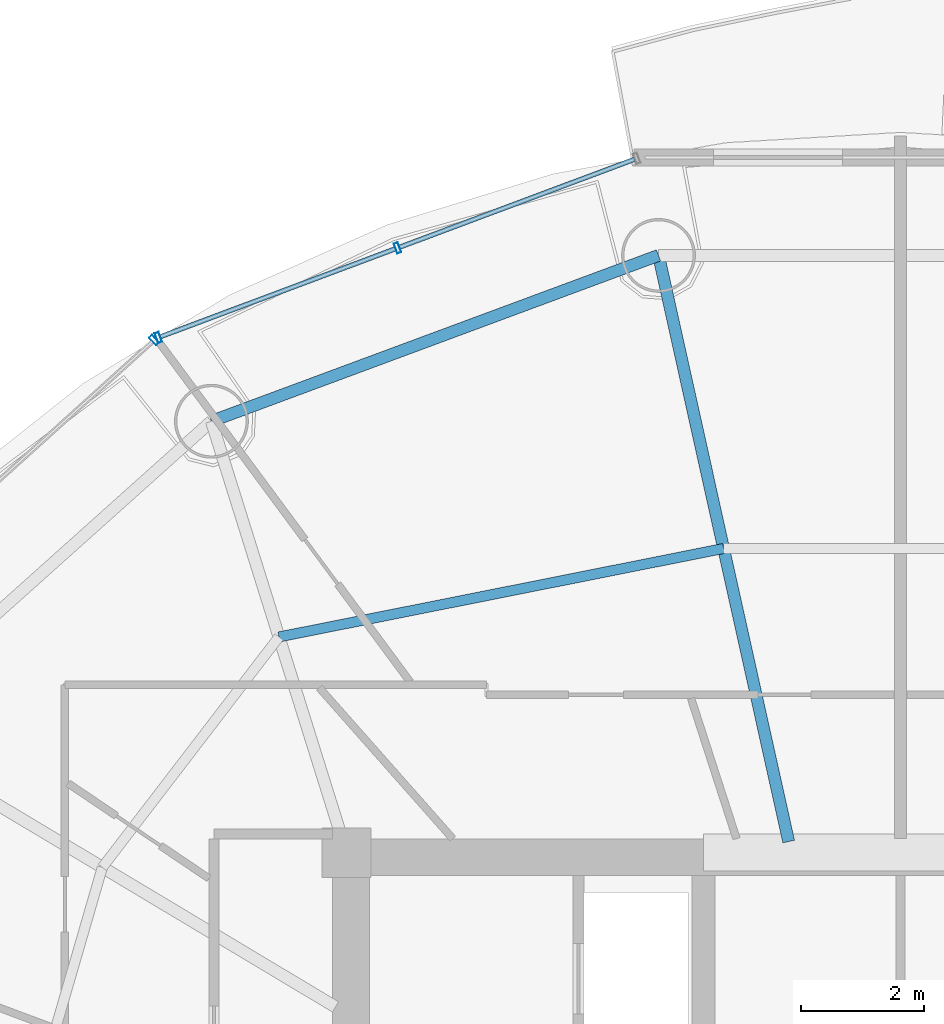
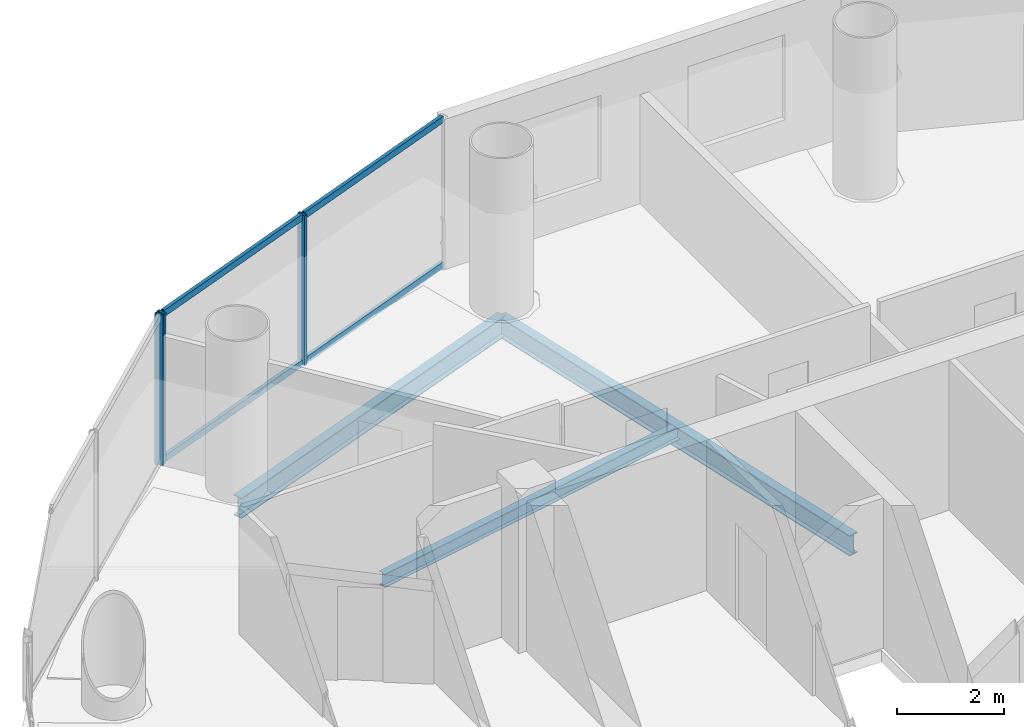
# One storey, part 15 of 26: 7 members, 3 beams, 2 elements without a shape of their own.
"""IFC4 building model written with IfcOpenShell, lengths in metres."""

from ifc_helpers import new_model, si_unit, direction, frame, origin, origin_2d, place, context, subcontext, project, spatial, hollow_rectangle, i_section, extrude, source, transform, mapped, material, material_profile, profile_set, type_object, element, aggregate, save


model = new_model("IFC4")

# Units and contexts
model_context = context("Model", 3, precision=1e-05, world=origin(), true_north=direction((-0.2419218956, 0.970295726276)))
body_context = subcontext(model_context, "Body", "Model", "MODEL_VIEW")
ifc_project = project(units=[si_unit("LENGTHUNIT", "METRE"), si_unit("AREAUNIT", "SQUARE_METRE"), si_unit("VOLUMEUNIT", "CUBIC_METRE"), si_unit("PLANEANGLEUNIT", "RADIAN"), si_unit("MASSUNIT", "GRAM", prefix="KILO")], contexts=[model_context])

# Site, building, storey
site_placement = place(None, origin())
site = spatial("IfcSite", under=ifc_project, at=site_placement, CompositionType="ELEMENT")
building_placement = place(site_placement, origin())
building = spatial("IfcBuilding", under=site, at=building_placement, Name="Cobrevalo Terracotta Tower", CompositionType="ELEMENT")
storey_placement = place(building_placement, frame((0.0, 0.0, 202.300048828125)))
storey = spatial("IfcBuildingStorey", under=building, at=storey_placement, Name="L53", CompositionType="ELEMENT", Elevation=202.300048828125)

# Beams
ifc_material_1 = material(Name="Steel S355", Category="steel")
ifc_material_profile_1 = material_profile(ifc_material_1, i_section(OverallWidth=0.194091796875, OverallDepth=0.468994140625, WebThickness=0.011474609375, FlangeThickness=0.0205078125, at=origin_2d()), Name="W 460x106")
ifc_profile_set_1 = profile_set([ifc_material_profile_1], Name="Steel S355")
beam_type_1 = type_object("IfcBeamType", Name="Structural Beam W 460x106 (Steel S355)", PredefinedType="BEAM", material=ifc_profile_set_1)
beam_1_placement = place(storey_placement, frame((34.06884765625, 44.503173828125, -0.49951171875), z_axis=(0.216782061165, -0.976220025382, 0.0), x_axis=(0.976220025382, 0.216782061165, 0.0)))
element("IfcBeam", 1, at=beam_1_placement, inside=storey, type_object=beam_type_1, Name="L53 radial floor girder 05", PredefinedType="BEAM", context=body_context, shape_type="SweptSolid", body=[
    extrude(i_section(OverallWidth=0.194091796875, OverallDepth=0.468994140625, WebThickness=0.011474609375, FlangeThickness=0.0205078125, at=origin_2d()), origin(), (0.0, 0.0, 1.0), 9.755126953125),
])
ifc_material_profile_2 = material_profile(ifc_material_1, i_section(OverallWidth=0.1650390625, OverallDepth=0.31005859375, WebThickness=0.005859375, FlangeThickness=0.009765625, at=origin_2d()), Name="W 310x38.7")
ifc_profile_set_2 = profile_set([ifc_material_profile_2], Name="Steel S355")
beam_type_2 = type_object("IfcBeamType", Name="Structural Joist W 310x38.7 (Steel S355)", PredefinedType="JOIST", material=ifc_profile_set_2)
beam_2_placement = place(storey_placement, frame((35.126220703125, 39.74169921875, -0.420166015625), z_axis=(-0.980762562197, -0.195204499418, 0.0), x_axis=(0.195204499418, -0.980762562197, 0.0)))
element("IfcBeam", 2, at=beam_2_placement, inside=storey, type_object=beam_type_2, Name="L53 circumferential secondary floor joist 05", PredefinedType="JOIST", context=body_context, shape_type="SweptSolid", body=[
    extrude(i_section(OverallWidth=0.1650390625, OverallDepth=0.31005859375, WebThickness=0.005859375, FlangeThickness=0.009765625, at=origin_2d()), origin(), (0.0, 0.0, 1.0), 7.365234375),
])
ifc_material_profile_3 = material_profile(ifc_material_1, i_section(OverallWidth=0.194091796875, OverallDepth=0.468994140625, WebThickness=0.011474609375, FlangeThickness=0.0205078125, at=origin_2d()), Name="W 460x106")
ifc_profile_set_3 = profile_set([ifc_material_profile_3], Name="Steel S355")
beam_type_3 = type_object("IfcBeamType", Name="Structural Spandrel W 460x106 (Steel S355)", PredefinedType="SPANDREL", material=ifc_profile_set_3)
beam_3_placement = place(storey_placement, frame((34.06884765625, 44.503173828125, -0.49951171875), z_axis=(-0.937545996665, -0.347861328892, 0.0), x_axis=(0.347861328892, -0.937545996665, 0.0)))
element("IfcBeam", 3, at=beam_3_placement, inside=storey, type_object=beam_type_3, Name="L53 perimeter ring spandrel 05", PredefinedType="SPANDREL", context=body_context, shape_type="SweptSolid", body=[
    extrude(i_section(OverallWidth=0.194091796875, OverallDepth=0.468994140625, WebThickness=0.011474609375, FlangeThickness=0.0205078125, at=origin_2d()), origin(), (0.0, 0.0, 1.0), 7.74755859375),
])

# Curtain wall, members
ifc_material_2 = material(Name="Anodized aluminium", Category="aluminium")
curtain_wall_type = type_object("IfcCurtainWallType", Name="Mid-tower high-wind unitised curtain wall CW-U2", PredefinedType="NOTDEFINED", material=ifc_material_2)
curtain_wall_1_placement = place(storey_placement, origin())
curtain_wall_1 = element("IfcCurtainWall", 4, at=curtain_wall_1_placement, inside=storey, type_object=curtain_wall_type, Name="L53 curtain wall CW-L53-S05", PredefinedType="NOTDEFINED")
ifc_material_profile_4 = material_profile(ifc_material_2, hollow_rectangle(XDim=0.074951171875, YDim=0.14990234375, WallThickness=0.00439453125, at=origin_2d()), Name="CWT 75x150")
ifc_profile_set_4 = profile_set([ifc_material_profile_4], Name="Anodized aluminium")
member_type_1 = type_object("IfcMemberType", Name="Tower unitised aluminium transom 75x150", PredefinedType="USERDEFINED", material=ifc_profile_set_4)
shared_shape_1 = source(origin(), body_context, "Body", "SweptSolid", [
    extrude(hollow_rectangle(XDim=0.074951171875, YDim=0.14990234375, WallThickness=0.00439453125, at=origin_2d()), origin(), (0.0, 0.0, 1.0), 4.069580078125),
])
member_1_placement = place(storey_placement, frame((29.79150390625, 44.609619140625, 0.050048828125), z_axis=(-0.936548420649, -0.350538237259, 0.0), x_axis=(0.350538237259, -0.936548420649, 0.0)))
member_1 = element("IfcMember", 5, at=member_1_placement, type_object=member_type_1, Name="CW-L53-S05 transom B02-T1", ObjectType="TRANSOM", PredefinedType="USERDEFINED", context=body_context, shape_type="MappedRepresentation", body=[
    mapped(shared_shape_1, transform((0.0, 0.0, 0.0), scale=1.0)),
])
member_2_placement = place(storey_placement, frame((29.79150390625, 44.609619140625, 3.385009765625), z_axis=(-0.936548420649, -0.350538237259, 0.0), x_axis=(0.350538237259, -0.936548420649, 0.0)))
member_2 = element("IfcMember", 6, at=member_2_placement, type_object=member_type_1, Name="CW-L53-S05 transom B02-T2", ObjectType="TRANSOM", PredefinedType="USERDEFINED", context=body_context, shape_type="MappedRepresentation", body=[
    mapped(shared_shape_1, transform((0.0, 0.0, 0.0), scale=1.0)),
])
shared_shape_2 = source(origin(), body_context, "Body", "SweptSolid", [
    extrude(hollow_rectangle(XDim=0.074951171875, YDim=0.14990234375, WallThickness=0.00439453125, at=origin_2d()), origin(), (0.0, 0.0, 1.0), 4.06982421875),
])
member_3_placement = place(storey_placement, frame((33.677978515625, 46.06396484375, 0.050048828125), z_axis=(-0.936555791772, -0.350518542873, 0.0), x_axis=(0.350518542873, -0.936555791772, 0.0)))
member_3 = element("IfcMember", 7, at=member_3_placement, type_object=member_type_1, Name="CW-L53-S05 transom B01-T1", ObjectType="TRANSOM", PredefinedType="USERDEFINED", context=body_context, shape_type="MappedRepresentation", body=[
    mapped(shared_shape_2, transform((0.0, 0.0, 0.0), scale=1.0)),
])
member_4_placement = place(storey_placement, frame((33.677978515625, 46.06396484375, 3.385009765625), z_axis=(-0.936555791772, -0.350518542873, 0.0), x_axis=(0.350518542873, -0.936555791772, 0.0)))
member_4 = element("IfcMember", 8, at=member_4_placement, type_object=member_type_1, Name="CW-L53-S05 transom B01-T2", ObjectType="TRANSOM", PredefinedType="USERDEFINED", context=body_context, shape_type="MappedRepresentation", body=[
    mapped(shared_shape_2, transform((0.0, 0.0, 0.0), scale=1.0)),
])
ifc_material_profile_5 = material_profile(ifc_material_2, hollow_rectangle(XDim=0.070068359375, YDim=0.169921875, WallThickness=0.00439453125, at=origin_2d()), Name="CWM 70x170")
ifc_profile_set_5 = profile_set([ifc_material_profile_5], Name="Anodized aluminium")
member_type_2 = type_object("IfcMemberType", Name="Upper tower unitised mullion 70x170", PredefinedType="MULLION", material=ifc_profile_set_5)
shared_shape_3 = source(origin(), body_context, "Body", "SweptSolid", [
    extrude(hollow_rectangle(XDim=0.070068359375, YDim=0.169921875, WallThickness=0.00439453125, at=origin_2d()), origin(), (0.0, 0.0, 1.0), 3.43505859375),
])
member_5_placement = place(storey_placement, frame((29.8291015625, 44.62353515625, 0.0), z_axis=(0.0, 0.0, 1.0), x_axis=(-0.936556004584, -0.350517974259, 0.0)))
member_5 = element("IfcMember", 9, at=member_5_placement, type_object=member_type_2, Name="CW-L53-S05 vertical mullion 02", PredefinedType="MULLION", context=body_context, shape_type="MappedRepresentation", body=[
    mapped(shared_shape_3, transform((0.0, 0.0, 0.0), scale=1.0)),
])
member_6_placement = place(storey_placement, frame((25.942626953125, 43.1689453125, 0.0), z_axis=(0.0, 0.0, 1.0), x_axis=(-0.936556004584, -0.350517974259, 0.0)))
member_6 = element("IfcMember", 10, at=member_6_placement, type_object=member_type_2, Name="CW-L53-S05 vertical mullion 03", PredefinedType="MULLION", context=body_context, shape_type="MappedRepresentation", body=[
    mapped(shared_shape_3, transform((0.0, 0.0, 0.0), scale=1.0)),
])
aggregate(curtain_wall_1, [member_5, member_6, member_3, member_4, member_1, member_2])

# Curtain wall, member
curtain_wall_2_placement = place(storey_placement, origin())
curtain_wall_2 = element("IfcCurtainWall", 11, at=curtain_wall_2_placement, inside=storey, type_object=curtain_wall_type, Name="L53 curtain wall CW-L53-S06", PredefinedType="NOTDEFINED")
member_7_placement = place(storey_placement, frame((25.87548828125, 43.128173828125, 0.0), z_axis=(0.0, 0.0, 1.0), x_axis=(-0.741987542015, -0.670413668935, 0.0)))
member_7 = element("IfcMember", 12, at=member_7_placement, type_object=member_type_2, Name="CW-L53-S06 vertical mullion 01", PredefinedType="MULLION", context=body_context, shape_type="MappedRepresentation", body=[
    mapped(shared_shape_3, transform((0.0, 0.0, 0.0), scale=1.0)),
])
aggregate(curtain_wall_2, [member_7])

save(model, "model.ifc")
